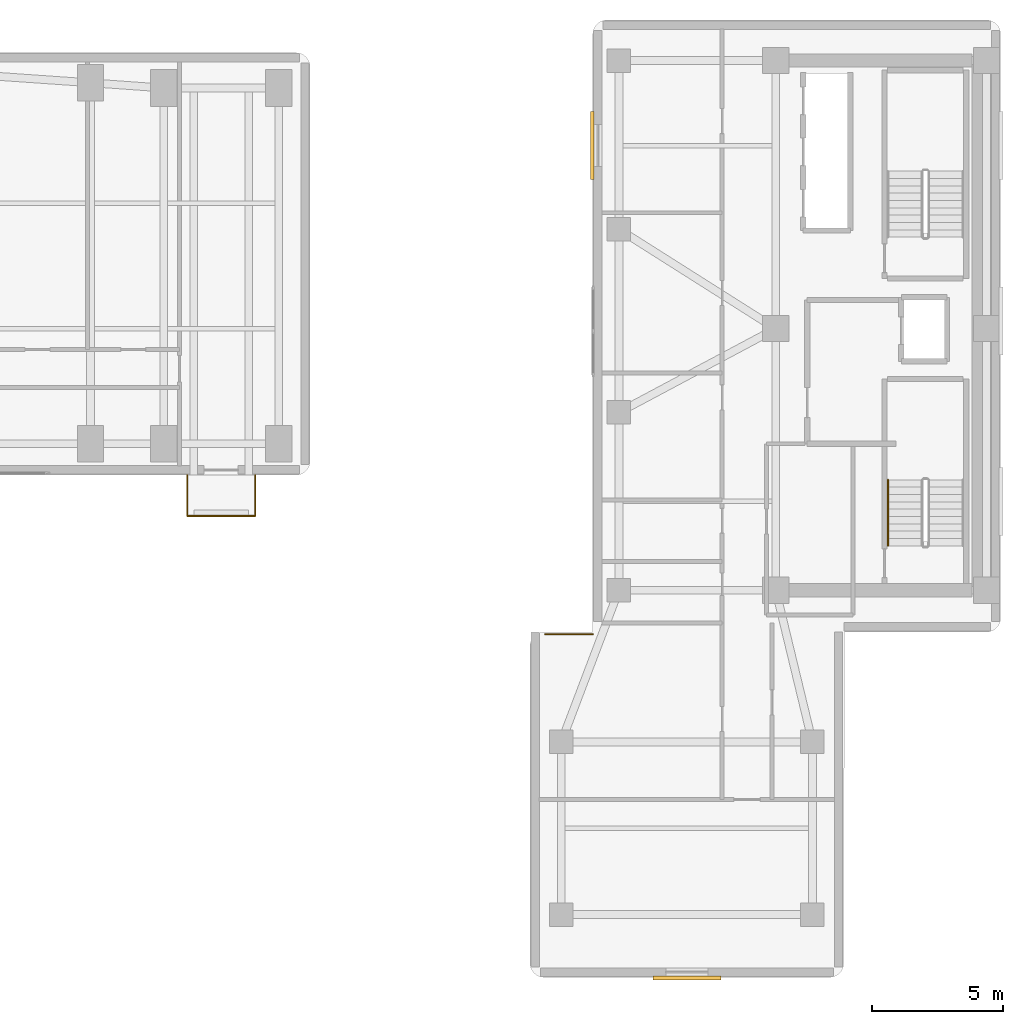
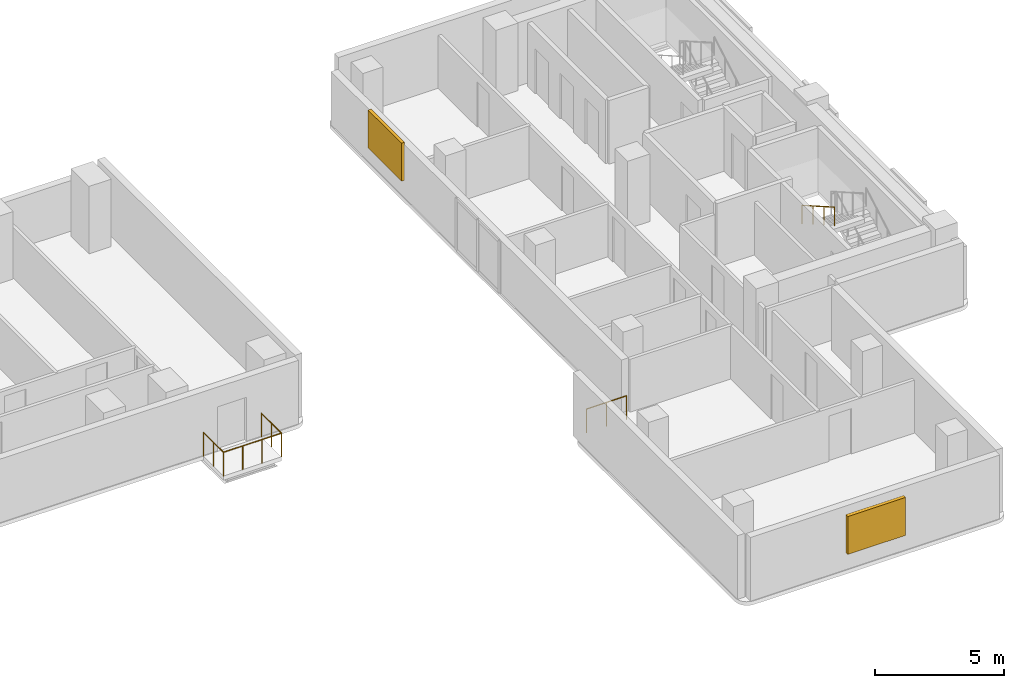
# One storey, part 16 of 17: 5 railings, 2 shading devices.
"""IFC4 building model written with IfcOpenShell, lengths in metres."""

from ifc_helpers import new_model, si_unit, direction, frame, origin, origin_2d, place, context, subcontext, project, spatial, rectangle, circle, extrude, material, layer, layer_set, type_object, element, save


model = new_model("IFC4")

# Units and contexts
model_context = context("Model", 3, precision=1e-05, world=origin(), true_north=direction((0.0, 1.0)))
body_context = subcontext(model_context, "Body", "Model", "MODEL_VIEW")
ifc_project = project(units=[si_unit("LENGTHUNIT", "METRE"), si_unit("AREAUNIT", "SQUARE_METRE"), si_unit("VOLUMEUNIT", "CUBIC_METRE"), si_unit("PLANEANGLEUNIT", "RADIAN"), si_unit("MASSUNIT", "GRAM", prefix="KILO")], contexts=[model_context])

# Site, building, storey
site_placement = place(None, origin())
site = spatial("IfcSite", under=ifc_project, at=site_placement, CompositionType="ELEMENT")
building_placement = place(site_placement, origin())
building = spatial("IfcBuilding", under=site, at=building_placement, Name="Kuzgunbayir Cultural Tower", CompositionType="ELEMENT")
storey_placement = place(building_placement, frame((0.0, 0.0, 56.39990234375)))
storey = spatial("IfcBuildingStorey", under=building, at=storey_placement, Name="L15", CompositionType="ELEMENT", Elevation=56.39990234375)

# Railings
ifc_material_1 = material(Name="Laminated Glass and Stainless Steel", Category="steel")
ifc_layer_1 = layer(ifc_material_1, 0.080078125)
ifc_layer_set_1 = layer_set([ifc_layer_1], Name="Laminated Glass and Stainless Steel")
railing_type_1 = type_object("IfcRailingType", Name="RLG-BAL-115", PredefinedType="BALUSTRADE", material=ifc_layer_set_1)
railing_1_placement = place(storey_placement, frame((42.10009765625, 26.39990234375, 0.0)))
element("IfcRailing", 1, at=railing_1_placement, inside=storey, type_object=railing_type_1, Name="L15 Balcony Guard BAL-L15-WB3 Segment 1", PredefinedType="BALUSTRADE", context=body_context, shape_type="SweptSolid", body=[
    extrude(circle(Radius=0.02392578125, at=origin_2d()), frame((0.0, 0.0, 1.1259765625), z_axis=(0.0, -1.0, 0.0), x_axis=(1.0, 0.0, 0.0)), (0.0, 0.0, 1.0), 1.559814453125),
    extrude(circle(Radius=0.02099609375, at=origin_2d()), origin(), (0.0, 0.0, 1.0), 1.101806640625),
    extrude(circle(Radius=0.02099609375, at=origin_2d()), frame((0.0, -0.77978515625, 0.0)), (0.0, 0.0, 1.0), 1.101806640625),
    extrude(circle(Radius=0.02099609375, at=origin_2d()), frame((0.0, -1.559814453125, 0.0)), (0.0, 0.0, 1.0), 1.101806640625),
])
railing_2_placement = place(storey_placement, frame((42.10009765625, 24.840087890625, 0.0)))
element("IfcRailing", 2, at=railing_2_placement, inside=storey, type_object=railing_type_1, Name="L15 Balcony Guard BAL-L15-WB3 Segment 2", PredefinedType="BALUSTRADE", context=body_context, shape_type="SweptSolid", body=[
    extrude(circle(Radius=0.02392578125, at=origin_2d()), frame((0.0, 0.0, 1.1259765625), z_axis=(1.0, 0.0, 0.0), x_axis=(0.0, 1.0, 0.0)), (0.0, 0.0, 1.0), 2.599853515625),
    extrude(circle(Radius=0.02099609375, at=origin_2d()), origin(), (0.0, 0.0, 1.0), 1.101806640625),
    extrude(circle(Radius=0.02099609375, at=origin_2d()), frame((0.86669921875, 0.0, 0.0)), (0.0, 0.0, 1.0), 1.101806640625),
    extrude(circle(Radius=0.02099609375, at=origin_2d()), frame((1.733154296875, 0.0, 0.0)), (0.0, 0.0, 1.0), 1.101806640625),
    extrude(circle(Radius=0.02099609375, at=origin_2d()), frame((2.599853515625, 0.0, 0.0)), (0.0, 0.0, 1.0), 1.101806640625),
])
railing_3_placement = place(storey_placement, frame((44.699951171875, 24.840087890625, 0.0)))
element("IfcRailing", 3, at=railing_3_placement, inside=storey, type_object=railing_type_1, Name="L15 Balcony Guard BAL-L15-WB3 Segment 3", PredefinedType="BALUSTRADE", context=body_context, shape_type="SweptSolid", body=[
    extrude(circle(Radius=0.02392578125, at=origin_2d()), frame((0.0, 0.0, 1.1259765625), z_axis=(0.0, 1.0, 0.0), x_axis=(-1.0, 0.0, 0.0)), (0.0, 0.0, 1.0), 1.559814453125),
    extrude(circle(Radius=0.02099609375, at=origin_2d()), origin(), (0.0, 0.0, 1.0), 1.101806640625),
    extrude(circle(Radius=0.02099609375, at=origin_2d()), frame((0.0, 0.77978515625, 0.0)), (0.0, 0.0, 1.0), 1.101806640625),
    extrude(circle(Radius=0.02099609375, at=origin_2d()), frame((0.0, 1.559814453125, 0.0)), (0.0, 0.0, 1.0), 1.101806640625),
])
railing_4_placement = place(storey_placement, frame((55.7900390625, 20.320068359375, 0.0)))
element("IfcRailing", 4, at=railing_4_placement, inside=storey, type_object=railing_type_1, Name="L15 Perimeter Edge Guard 1", PredefinedType="BALUSTRADE", context=body_context, shape_type="SweptSolid", body=[
    extrude(circle(Radius=0.02392578125, at=origin_2d()), frame((0.0, 0.0, 1.1259765625), z_axis=(1.0, 0.0, 0.0), x_axis=(0.0, 1.0, 0.0)), (0.0, 0.0, 1.0), 1.81005859375),
    extrude(circle(Radius=0.02099609375, at=origin_2d()), origin(), (0.0, 0.0, 1.0), 1.101806640625),
    extrude(circle(Radius=0.02099609375, at=origin_2d()), frame((0.905029296875, 0.0, 0.0)), (0.0, 0.0, 1.0), 1.101806640625),
    extrude(circle(Radius=0.02099609375, at=origin_2d()), frame((1.81005859375, 0.0, 0.0)), (0.0, 0.0, 1.0), 1.101806640625),
])
ifc_material_2 = material(Name="Brushed Stainless Steel", Category="steel")
ifc_layer_2 = layer(ifc_material_2, 0.050048828125)
ifc_layer_set_2 = layer_set([ifc_layer_2], Name="Brushed Stainless Steel")
railing_type_2 = type_object("IfcRailingType", Name="RLG-STAIR-HANDRAIL", PredefinedType="HANDRAIL", material=ifc_layer_set_2)
railing_5_placement = place(storey_placement, frame((68.889892578125, 26.219970703125, 1.760009765625)))
element("IfcRailing", 5, at=railing_5_placement, inside=storey, type_object=railing_type_2, Name="L15 ST-3 stair handrail 2", PredefinedType="HANDRAIL", context=body_context, shape_type="SweptSolid", body=[
    extrude(circle(Radius=0.02392578125, at=origin_2d()), frame((0.0, 0.0, 0.8759765625), z_axis=(0.0, -0.868217259934, 0.496184229447), x_axis=(1.0, 0.0, 0.0)), (0.0, 0.0, 1.0), 2.902587890625),
    extrude(circle(Radius=0.02099609375, at=origin_2d()), origin(), (0.0, 0.0, 1.0), 0.851806640625),
    extrude(circle(Radius=0.02099609375, at=origin_2d()), frame((0.0, -0.840087890625, 0.47998046875)), (0.0, 0.0, 1.0), 0.851806640625),
    extrude(circle(Radius=0.02099609375, at=origin_2d()), frame((0.0, -1.679931640625, 0.960205078125)), (0.0, 0.0, 1.0), 0.851806640625),
    extrude(circle(Radius=0.02099609375, at=origin_2d()), frame((0.0, -2.52001953125, 1.440185546875)), (0.0, 0.0, 1.0), 0.851806640625),
])

# Shading devices
ifc_material_3 = material(Name="Perforated Bronze-Anodised Aluminium", Category="aluminium")
shading_device_type_1 = type_object("IfcShadingDeviceType", Name="SHD-SOLAR-BRONZE", PredefinedType="JALOUSIE", material=ifc_material_3)
shading_device_1_placement = place(storey_placement, frame((57.590087890625, 39.0, 0.80029296875), z_axis=(0.0, 0.0, 1.0), x_axis=(1.0, 0.0, 0.0)))
element("IfcShadingDevice", 6, at=shading_device_1_placement, inside=storey, type_object=shading_device_type_1, Name="L15 Companion Bronze Solar Screen 39", PredefinedType="JALOUSIE", context=body_context, shape_type="SweptSolid", body=[
    extrude(rectangle(XDim=0.139892578125, YDim=2.60009765625, at=origin_2d()), origin(), (0.0, 0.0, 1.0), 1.800048828125),
])
ifc_material_4 = material(Name="Warm Terracotta Ceramic Baguette", Category="masonry")
shading_device_type_2 = type_object("IfcShadingDeviceType", Name="SHD-SOLAR-CERAMIC", PredefinedType="SHUTTER", material=ifc_material_4)
shading_device_2_placement = place(storey_placement, frame((61.199951171875, 7.179931640625, 0.80029296875), z_axis=(0.0, 0.0, 1.0), x_axis=(1.0, 0.0, 0.0)))
element("IfcShadingDevice", 7, at=shading_device_2_placement, inside=storey, type_object=shading_device_type_2, Name="L15 Companion Ceramic Solar Screen S1", PredefinedType="SHUTTER", context=body_context, shape_type="SweptSolid", body=[
    extrude(rectangle(XDim=2.60009765625, YDim=0.159912109375, at=origin_2d()), origin(), (0.0, 0.0, 1.0), 1.800048828125),
])

save(model, "model.ifc")
